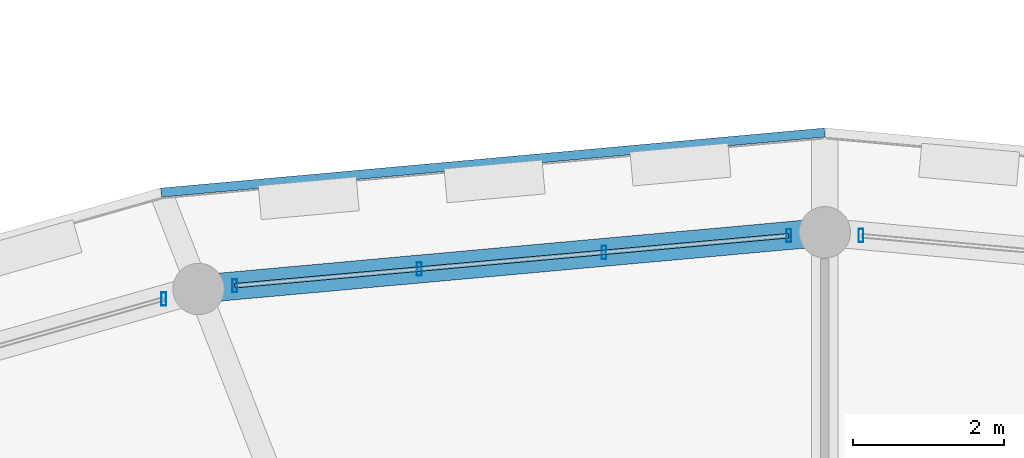
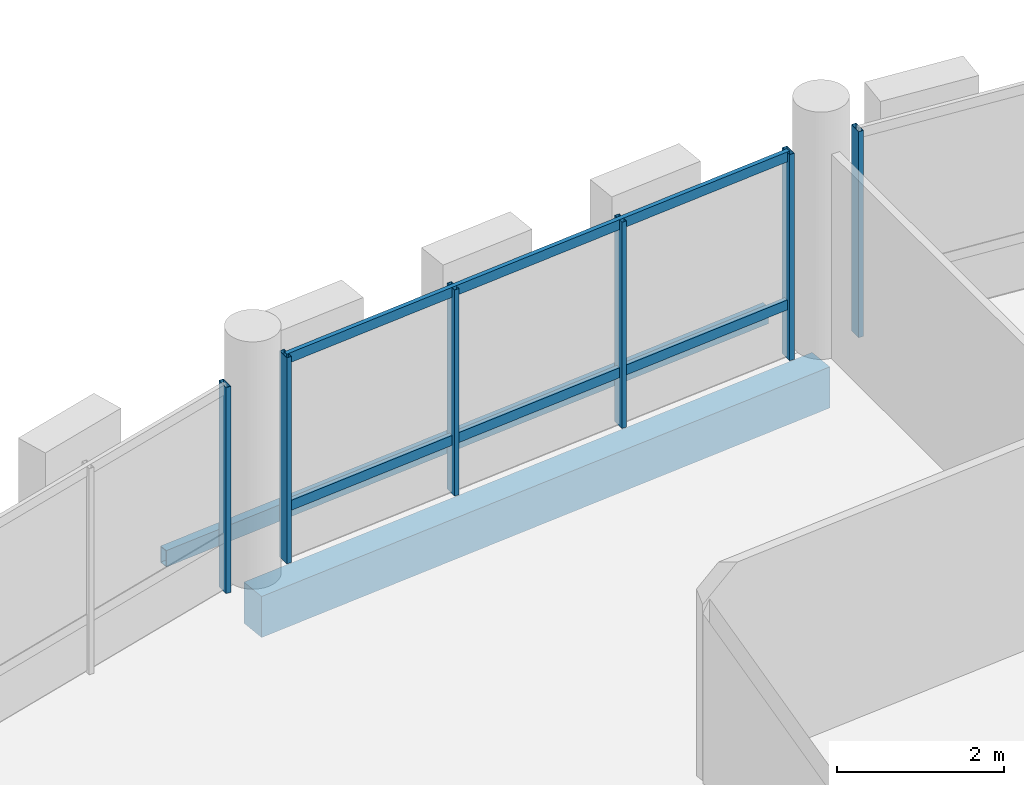
# One storey, part 70 of 128: 8 members, 2 beams, 3 elements without a shape of their own.
"""IFC4 building model written with IfcOpenShell, lengths in metres."""

from ifc_helpers import new_model, si_unit, direction, frame, origin, origin_2d, place, context, subcontext, project, spatial, rectangle, hollow_rectangle, extrude, material, material_profile, profile_set, type_object, element, aggregate, save


model = new_model("IFC4")

# Units and contexts
model_context = context("Model", 3, precision=1e-05, world=origin(), true_north=direction((0.0, 1.0)))
body_context = subcontext(model_context, "Body", "Model", "MODEL_VIEW")
ifc_project = project(units=[si_unit("LENGTHUNIT", "METRE"), si_unit("AREAUNIT", "SQUARE_METRE"), si_unit("VOLUMEUNIT", "CUBIC_METRE"), si_unit("PLANEANGLEUNIT", "RADIAN"), si_unit("MASSUNIT", "GRAM", prefix="KILO")], contexts=[model_context])

# Site, building, storey
site_placement = place(None, origin())
site = spatial("IfcSite", under=ifc_project, at=site_placement, CompositionType="ELEMENT")
building_placement = place(site_placement, origin())
building = spatial("IfcBuilding", under=site, at=building_placement, Name="Zornivar Specialist Clinic", CompositionType="ELEMENT")
storey_placement = place(building_placement, frame((0.0, 0.0, 4.5)))
storey = spatial("IfcBuildingStorey", under=building, at=storey_placement, Name="L01", CompositionType="ELEMENT", Elevation=4.5)

# Beams
ifc_material_1 = material(Name="Concrete C30/37", Category="concrete")
ifc_material_profile_1 = material_profile(ifc_material_1, rectangle(XDim=0.3701171875, YDim=0.60009765625, at=origin_2d()), Name="RC 370x600")
ifc_profile_set_1 = profile_set([ifc_material_profile_1], Name="Concrete C30/37")
beam_type_1 = type_object("IfcBeamType", Name="BM-RC-SPANDREL-370x600", PredefinedType="SPANDREL", material=ifc_profile_set_1)
beam_1_placement = place(storey_placement, frame((93.60009765625, 79.60009765625, -0.5400390625), z_axis=(-0.99592467027, -0.09018897465, 0.0), x_axis=(0.09018897465, -0.99592467027, 0.0)))
element("IfcBeam", 1, at=beam_1_placement, inside=storey, type_object=beam_type_1, Name="bm:V1:L01:outring:06", PredefinedType="SPANDREL", context=body_context, shape_type="SweptSolid", body=[
    extrude(rectangle(XDim=0.3701171875, YDim=0.60009765625, at=origin_2d()), origin(), (0.0, 0.0, 1.0), 8.31591796875),
])
ifc_material_2 = material(Name="Steel S355J2", Category="steel")
ifc_material_profile_2 = material_profile(ifc_material_2, hollow_rectangle(XDim=0.1201171875, YDim=0.239990234375, WallThickness=0.008056640625, at=origin_2d()), Name="RHS 240x120x8")
ifc_profile_set_2 = profile_set([ifc_material_profile_2], Name="Steel S355J2")
beam_type_2 = type_object("IfcBeamType", Name="BM-STL-RHS240", PredefinedType="JOIST", material=ifc_profile_set_2)
beam_2_placement = place(storey_placement, frame((93.60009765625, 80.919921875, -0.360107421875), z_axis=(-0.995925605957, -0.090178641592, 0.0), x_axis=(0.090178641592, -0.995925605957, 0.0)))
element("IfcBeam", 2, at=beam_2_placement, inside=storey, type_object=beam_type_2, Name="bm:V1:L01:balring:06", PredefinedType="JOIST", context=body_context, shape_type="SweptSolid", body=[
    extrude(hollow_rectangle(XDim=0.1201171875, YDim=0.239990234375, WallThickness=0.008056640625, at=origin_2d()), origin(), (0.0, 0.0, 1.0), 8.81494140625),
])

# Curtain wall, member
ifc_material_3 = material(Name="Aluminium and Low-E Glass Curtain Wall", Category="aluminium")
curtain_wall_type = type_object("IfcCurtainWallType", Name="CW-DRUM-FACET", PredefinedType="NOTDEFINED", material=ifc_material_3)
curtain_wall_1_placement = place(storey_placement, origin())
curtain_wall_1 = element("IfcCurtainWall", 3, at=curtain_wall_1_placement, inside=storey, type_object=curtain_wall_type, Name="cw:V1:L01:c05", PredefinedType="NOTDEFINED")
ifc_material_4 = material(Name="Aluminium AW-6060", Category="aluminium")
ifc_material_profile_3 = material_profile(ifc_material_4, hollow_rectangle(XDim=0.06494140625, YDim=0.175048828125, WallThickness=0.00439453125, at=origin_2d()), Name="ALU 65x175x4.5")
ifc_profile_set_3 = profile_set([ifc_material_profile_3], Name="Aluminium AW-6060")
member_type_1 = type_object("IfcMemberType", Name="CWM-MUL-175", PredefinedType="MULLION", material=ifc_profile_set_3)
member_1_placement = place(storey_placement, frame((94.077880859375, 79.556884765625, 0.0), z_axis=(0.0, 0.0, 1.0), x_axis=(1.0, 0.0, 0.0)))
member_1 = element("IfcMember", 4, at=member_1_placement, type_object=member_type_1, Name="cw:V1:L01:c05:mul:3", PredefinedType="MULLION", context=body_context, shape_type="SweptSolid", body=[
    extrude(hollow_rectangle(XDim=0.06494140625, YDim=0.175048828125, WallThickness=0.00439453125, at=origin_2d()), origin(), (0.0, 0.0, 1.0), 3.010009765625),
])
aggregate(curtain_wall_1, [member_1])

# Curtain wall, members
curtain_wall_2_placement = place(storey_placement, origin())
curtain_wall_2 = element("IfcCurtainWall", 5, at=curtain_wall_2_placement, inside=storey, type_object=curtain_wall_type, Name="cw:V1:L01:c06", PredefinedType="NOTDEFINED")
member_2_placement = place(storey_placement, frame((93.1220703125, 79.555908203125, 0.0), z_axis=(0.0, 0.0, 1.0), x_axis=(1.0, 0.0, 0.0)))
member_2 = element("IfcMember", 6, at=member_2_placement, type_object=member_type_1, Name="cw:V1:L01:c06:mul:0", PredefinedType="MULLION", context=body_context, shape_type="SweptSolid", body=[
    extrude(hollow_rectangle(XDim=0.06494140625, YDim=0.175048828125, WallThickness=0.00439453125, at=origin_2d()), origin(), (0.0, 0.0, 1.0), 3.010009765625),
])
member_3_placement = place(storey_placement, frame((90.679931640625, 79.3349609375, 0.0), z_axis=(0.0, 0.0, 1.0), x_axis=(1.0, 0.0, 0.0)))
member_3 = element("IfcMember", 7, at=member_3_placement, type_object=member_type_1, Name="cw:V1:L01:c06:mul:1", PredefinedType="MULLION", context=body_context, shape_type="SweptSolid", body=[
    extrude(hollow_rectangle(XDim=0.06494140625, YDim=0.175048828125, WallThickness=0.00439453125, at=origin_2d()), origin(), (0.0, 0.0, 1.0), 3.010009765625),
])
member_4_placement = place(storey_placement, frame((88.238037109375, 79.114013671875, 0.0), z_axis=(0.0, 0.0, 1.0), x_axis=(1.0, 0.0, 0.0)))
member_4 = element("IfcMember", 8, at=member_4_placement, type_object=member_type_1, Name="cw:V1:L01:c06:mul:2", PredefinedType="MULLION", context=body_context, shape_type="SweptSolid", body=[
    extrude(hollow_rectangle(XDim=0.06494140625, YDim=0.175048828125, WallThickness=0.00439453125, at=origin_2d()), origin(), (0.0, 0.0, 1.0), 3.010009765625),
])
member_5_placement = place(storey_placement, frame((85.7958984375, 78.89306640625, 0.0), z_axis=(0.0, 0.0, 1.0), x_axis=(1.0, 0.0, 0.0)))
member_5 = element("IfcMember", 9, at=member_5_placement, type_object=member_type_1, Name="cw:V1:L01:c06:mul:3", PredefinedType="MULLION", context=body_context, shape_type="SweptSolid", body=[
    extrude(hollow_rectangle(XDim=0.06494140625, YDim=0.175048828125, WallThickness=0.00439453125, at=origin_2d()), origin(), (0.0, 0.0, 1.0), 3.010009765625),
])

# Curtain wall, member
curtain_wall_3_placement = place(storey_placement, origin())
curtain_wall_3 = element("IfcCurtainWall", 10, at=curtain_wall_3_placement, inside=storey, type_object=curtain_wall_type, Name="cw:V1:L01:c07", PredefinedType="NOTDEFINED")
member_6_placement = place(storey_placement, frame((84.85693359375, 78.718994140625, 0.0), z_axis=(0.0, 0.0, 1.0), x_axis=(1.0, 0.0, 0.0)))
member_6 = element("IfcMember", 11, at=member_6_placement, type_object=member_type_1, Name="cw:V1:L01:c07:mul:0", PredefinedType="MULLION", context=body_context, shape_type="SweptSolid", body=[
    extrude(hollow_rectangle(XDim=0.06494140625, YDim=0.175048828125, WallThickness=0.00439453125, at=origin_2d()), origin(), (0.0, 0.0, 1.0), 3.010009765625),
])
aggregate(curtain_wall_3, [member_6])

# Member
ifc_material_5 = material(Name="Aluminium AW-6060", Category="aluminium")
ifc_material_profile_4 = material_profile(ifc_material_5, hollow_rectangle(XDim=0.06005859375, YDim=0.14501953125, WallThickness=0.00390625, at=origin_2d()), Name="ALU 60x145x4")
ifc_profile_set_4 = profile_set([ifc_material_profile_4], Name="Aluminium AW-6060")
member_type_2 = type_object("IfcMemberType", Name="CWM-TRN-145", PredefinedType="USERDEFINED", material=ifc_profile_set_4)
member_7_placement = place(storey_placement, frame((93.1220703125, 79.555908203125, 0.782958984375), z_axis=(-0.995943921343, -0.089976138722, 0.0), x_axis=(0.089976138722, -0.995943921343, 0.0)))
member_7 = element("IfcMember", 12, at=member_7_placement, type_object=member_type_2, Name="cw:V1:L01:c06:trn:0", ObjectType="TRANSOM", PredefinedType="USERDEFINED", context=body_context, shape_type="SweptSolid", body=[
    extrude(hollow_rectangle(XDim=0.06005859375, YDim=0.14501953125, WallThickness=0.00390625, at=origin_2d()), origin(), (0.0, 0.0, 1.0), 7.35595703125),
])

member_8_placement = place(storey_placement, frame((93.1220703125, 79.555908203125, 2.945068359375), z_axis=(-0.995943921343, -0.089976138722, 0.0), x_axis=(0.089976138722, -0.995943921343, 0.0)))
member_8 = element("IfcMember", 13, at=member_8_placement, type_object=member_type_2, Name="cw:V1:L01:c06:trn:1", ObjectType="TRANSOM", PredefinedType="USERDEFINED", context=body_context, shape_type="SweptSolid", body=[
    extrude(hollow_rectangle(XDim=0.06005859375, YDim=0.14501953125, WallThickness=0.00390625, at=origin_2d()), origin(), (0.0, 0.0, 1.0), 7.35595703125),
])

aggregate(curtain_wall_2, [member_2, member_3, member_4, member_5, member_7, member_8])

save(model, "model.ifc")
